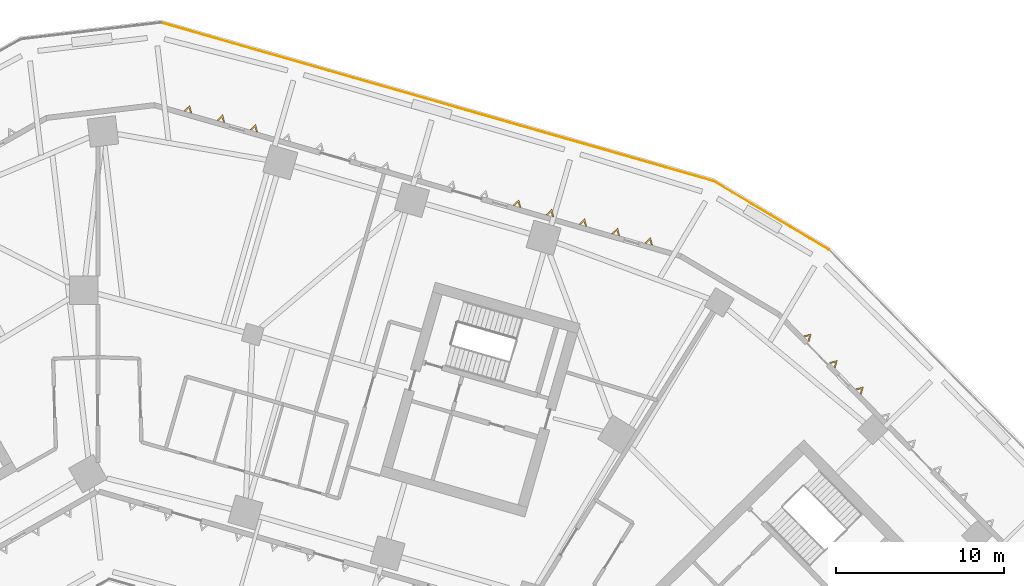
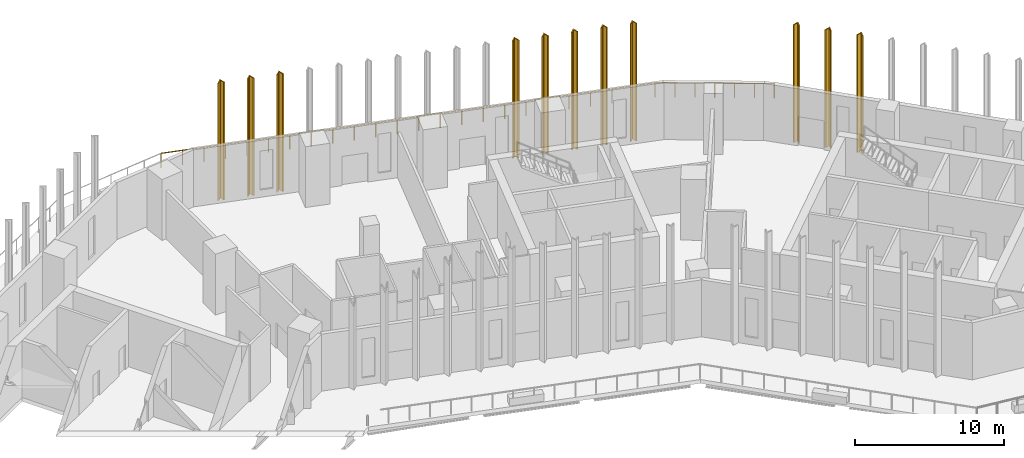
# One storey, part 16 of 17: 11 shading devices, 2 railings.
"""IFC4 building model written with IfcOpenShell, lengths in metres."""

from ifc_helpers import new_model, si_unit, direction, frame, origin, origin_2d, place, context, subcontext, project, spatial, polyline, circle, outline, extrude, material, type_object, element, save


model = new_model("IFC4")

# Units and contexts
model_context = context("Model", 3, precision=1e-05, world=origin(), true_north=direction((0.0, 1.0)))
body_context = subcontext(model_context, "Body", "Model", "MODEL_VIEW")
ifc_project = project(units=[si_unit("LENGTHUNIT", "METRE"), si_unit("AREAUNIT", "SQUARE_METRE"), si_unit("VOLUMEUNIT", "CUBIC_METRE"), si_unit("PLANEANGLEUNIT", "RADIAN"), si_unit("MASSUNIT", "GRAM", prefix="KILO")], contexts=[model_context])

# Site, building, storey
site_placement = place(None, origin())
site = spatial("IfcSite", under=ifc_project, at=site_placement, CompositionType="ELEMENT")
building_placement = place(site_placement, origin())
building = spatial("IfcBuilding", under=site, at=building_placement, Name="Binnacle Exchange Tower", CompositionType="ELEMENT")
storey_placement = place(building_placement, frame((0.0, 0.0, 26.5)))
storey = spatial("IfcBuildingStorey", under=building, at=storey_placement, Name="L05", CompositionType="ELEMENT", Elevation=26.5)

# Railings
ifc_material_1 = material(Name="Bronze anodised aluminium frame", Category="aluminium")
railing_type = type_object("IfcRailingType", Name="GUARD 1200", PredefinedType="GUARDRAIL", material=ifc_material_1)
railing_1_placement = place(storey_placement, frame((43.626708984375, 62.41015625, 0.0)))
element("IfcRailing", 1, at=railing_1_placement, inside=storey, type_object=railing_type, Name="Terrace guard 1 Terrace P", PredefinedType="GUARDRAIL", context=body_context, shape_type="SweptSolid", body=[
    extrude(circle(Radius=0.02392578125, at=origin_2d()), frame((0.0, 0.0, 1.17578125), z_axis=(-0.859411610489, 0.511284347264, 0.0), x_axis=(-0.511284347264, -0.859411610489, 0.0)), (0.0, 0.0, 1.0), 8.02490234375),
    extrude(circle(Radius=0.02099609375, at=origin_2d()), origin(), (0.0, 0.0, 1.0), 1.15185546875),
    extrude(circle(Radius=0.02099609375, at=origin_2d()), frame((-1.1494140625, 0.683837890625, 0.0)), (0.0, 0.0, 1.0), 1.15185546875),
    extrude(circle(Radius=0.02099609375, at=origin_2d()), frame((-2.298828125, 1.36767578125, 0.0)), (0.0, 0.0, 1.0), 1.15185546875),
    extrude(circle(Radius=0.02099609375, at=origin_2d()), frame((-3.4482421875, 2.051513671875, 0.0)), (0.0, 0.0, 1.0), 1.15185546875),
    extrude(circle(Radius=0.02099609375, at=origin_2d()), frame((-4.597900390625, 2.7353515625, 0.0)), (0.0, 0.0, 1.0), 1.15185546875),
    extrude(circle(Radius=0.02099609375, at=origin_2d()), frame((-5.747314453125, 3.419189453125, 0.0)), (0.0, 0.0, 1.0), 1.15185546875),
    extrude(circle(Radius=0.02099609375, at=origin_2d()), frame((-6.896728515625, 4.10302734375, 0.0)), (0.0, 0.0, 1.0), 1.15185546875),
])
railing_2_placement = place(storey_placement, frame((36.72998046875, 66.51318359375, 0.0)))
element("IfcRailing", 2, at=railing_2_placement, inside=storey, type_object=railing_type, Name="Terrace guard 2 Terrace P", PredefinedType="GUARDRAIL", context=body_context, shape_type="SweptSolid", body=[
    extrude(circle(Radius=0.02392578125, at=origin_2d()), frame((0.0, 0.0, 1.17578125), z_axis=(-0.961260783361, 0.275640538334, 0.0), x_axis=(-0.275640538334, -0.961260783361, 0.0)), (0.0, 0.0, 1.0), 34.295166015625),
    extrude(circle(Radius=0.02099609375, at=origin_2d()), origin(), (0.0, 0.0, 1.0), 1.15185546875),
    extrude(circle(Radius=0.02099609375, at=origin_2d()), frame((-1.433349609375, 0.410888671875, 0.0)), (0.0, 0.0, 1.0), 1.15185546875),
    extrude(circle(Radius=0.02099609375, at=origin_2d()), frame((-2.86669921875, 0.822021484375, 0.0)), (0.0, 0.0, 1.0), 1.15185546875),
    extrude(circle(Radius=0.02099609375, at=origin_2d()), frame((-4.300048828125, 1.23291015625, 0.0)), (0.0, 0.0, 1.0), 1.15185546875),
    extrude(circle(Radius=0.02099609375, at=origin_2d()), frame((-5.7333984375, 1.64404296875, 0.0)), (0.0, 0.0, 1.0), 1.15185546875),
    extrude(circle(Radius=0.02099609375, at=origin_2d()), frame((-7.166748046875, 2.054931640625, 0.0)), (0.0, 0.0, 1.0), 1.15185546875),
    extrude(circle(Radius=0.02099609375, at=origin_2d()), frame((-8.599853515625, 2.466064453125, 0.0)), (0.0, 0.0, 1.0), 1.15185546875),
    extrude(circle(Radius=0.02099609375, at=origin_2d()), frame((-10.033203125, 2.876953125, 0.0)), (0.0, 0.0, 1.0), 1.15185546875),
    extrude(circle(Radius=0.02099609375, at=origin_2d()), frame((-11.466552734375, 3.2880859375, 0.0)), (0.0, 0.0, 1.0), 1.15185546875),
    extrude(circle(Radius=0.02099609375, at=origin_2d()), frame((-12.89990234375, 3.698974609375, 0.0)), (0.0, 0.0, 1.0), 1.15185546875),
    extrude(circle(Radius=0.02099609375, at=origin_2d()), frame((-14.333251953125, 4.110107421875, 0.0)), (0.0, 0.0, 1.0), 1.15185546875),
    extrude(circle(Radius=0.02099609375, at=origin_2d()), frame((-15.7666015625, 4.52099609375, 0.0)), (0.0, 0.0, 1.0), 1.15185546875),
    extrude(circle(Radius=0.02099609375, at=origin_2d()), frame((-17.199951171875, 4.93212890625, 0.0)), (0.0, 0.0, 1.0), 1.15185546875),
    extrude(circle(Radius=0.02099609375, at=origin_2d()), frame((-18.63330078125, 5.343017578125, 0.0)), (0.0, 0.0, 1.0), 1.15185546875),
    extrude(circle(Radius=0.02099609375, at=origin_2d()), frame((-20.066650390625, 5.754150390625, 0.0)), (0.0, 0.0, 1.0), 1.15185546875),
    extrude(circle(Radius=0.02099609375, at=origin_2d()), frame((-21.5, 6.1650390625, 0.0)), (0.0, 0.0, 1.0), 1.15185546875),
    extrude(circle(Radius=0.02099609375, at=origin_2d()), frame((-22.933349609375, 6.576171875, 0.0)), (0.0, 0.0, 1.0), 1.15185546875),
    extrude(circle(Radius=0.02099609375, at=origin_2d()), frame((-24.36669921875, 6.987060546875, 0.0)), (0.0, 0.0, 1.0), 1.15185546875),
    extrude(circle(Radius=0.02099609375, at=origin_2d()), frame((-25.7998046875, 7.398193359375, 0.0)), (0.0, 0.0, 1.0), 1.15185546875),
    extrude(circle(Radius=0.02099609375, at=origin_2d()), frame((-27.233154296875, 7.80908203125, 0.0)), (0.0, 0.0, 1.0), 1.15185546875),
    extrude(circle(Radius=0.02099609375, at=origin_2d()), frame((-28.66650390625, 8.22021484375, 0.0)), (0.0, 0.0, 1.0), 1.15185546875),
    extrude(circle(Radius=0.02099609375, at=origin_2d()), frame((-30.099853515625, 8.631103515625, 0.0)), (0.0, 0.0, 1.0), 1.15185546875),
    extrude(circle(Radius=0.02099609375, at=origin_2d()), frame((-31.533203125, 9.042236328125, 0.0)), (0.0, 0.0, 1.0), 1.15185546875),
    extrude(circle(Radius=0.02099609375, at=origin_2d()), frame((-32.966552734375, 9.453125, 0.0)), (0.0, 0.0, 1.0), 1.15185546875),
])

# Shading devices
ifc_material_2 = material(Name="Bronze aluminium cladding", Category="aluminium")
shading_device_type = type_object("IfcShadingDeviceType", Name="V FIN 433 DEEP x 9680 HIGH", PredefinedType="USERDEFINED", material=ifc_material_2)
shading_device_1_placement = place(storey_placement, origin())
element("IfcShadingDevice", 3, at=shading_device_1_placement, inside=storey, type_object=shading_device_type, Name="V fin FN-F01-01 L05", ObjectType="FIN", PredefinedType="USERDEFINED", context=body_context, shape_type="SweptSolid", body=[
    extrude(outline(polyline([(33.107421875, 62.66259765625), (32.986572265625, 63.147705078125), (32.626708984375, 62.800537109375), (32.715576171875, 62.77490234375), (32.9423828125, 62.993896484375), (33.0185546875, 62.688232421875), (33.107421875, 62.66259765625)])), origin(), (0.0, 0.0, 1.0), 9.679931640625),
])
shading_device_2_placement = place(storey_placement, origin())
element("IfcShadingDevice", 4, at=shading_device_2_placement, inside=storey, type_object=shading_device_type, Name="V fin FN-F01-02 L05", ObjectType="FIN", PredefinedType="USERDEFINED", context=body_context, shape_type="SweptSolid", body=[
    extrude(outline(polyline([(31.143310546875, 63.225830078125), (31.022216796875, 63.7109375), (30.66259765625, 63.36376953125), (30.75146484375, 63.338134765625), (30.97802734375, 63.55712890625), (31.054443359375, 63.25146484375), (31.143310546875, 63.225830078125)])), origin(), (0.0, 0.0, 1.0), 9.679931640625),
])
shading_device_3_placement = place(storey_placement, origin())
element("IfcShadingDevice", 5, at=shading_device_3_placement, inside=storey, type_object=shading_device_type, Name="V fin FN-F01-03 L05", ObjectType="FIN", PredefinedType="USERDEFINED", context=body_context, shape_type="SweptSolid", body=[
    extrude(outline(polyline([(29.17919921875, 63.7890625), (29.058349609375, 64.274169921875), (28.698486328125, 63.927001953125), (28.787353515625, 63.9013671875), (29.01416015625, 64.120361328125), (29.09033203125, 63.814697265625), (29.17919921875, 63.7890625)])), origin(), (0.0, 0.0, 1.0), 9.679931640625),
])
shading_device_4_placement = place(storey_placement, origin())
element("IfcShadingDevice", 6, at=shading_device_4_placement, inside=storey, type_object=shading_device_type, Name="V fin FN-F01-04 L05", ObjectType="FIN", PredefinedType="USERDEFINED", context=body_context, shape_type="SweptSolid", body=[
    extrude(outline(polyline([(27.215087890625, 64.352294921875), (27.09423828125, 64.83740234375), (26.734619140625, 64.489990234375), (26.8232421875, 64.464599609375), (27.050048828125, 64.68359375), (27.126220703125, 64.377685546875), (27.215087890625, 64.352294921875)])), origin(), (0.0, 0.0, 1.0), 9.679931640625),
])
shading_device_5_placement = place(storey_placement, origin())
element("IfcShadingDevice", 7, at=shading_device_5_placement, inside=storey, type_object=shading_device_type, Name="V fin FN-F01-05 L05", ObjectType="FIN", PredefinedType="USERDEFINED", context=body_context, shape_type="SweptSolid", body=[
    extrude(outline(polyline([(25.2509765625, 64.91552734375), (25.130126953125, 65.400634765625), (24.7705078125, 65.05322265625), (24.859130859375, 65.02783203125), (25.0859375, 65.246826171875), (25.162109375, 64.94091796875), (25.2509765625, 64.91552734375)])), origin(), (0.0, 0.0, 1.0), 9.679931640625),
])
shading_device_6_placement = place(storey_placement, origin())
element("IfcShadingDevice", 8, at=shading_device_6_placement, inside=storey, type_object=shading_device_type, Name="V fin FN-F01-13 L05", ObjectType="FIN", PredefinedType="USERDEFINED", context=body_context, shape_type="SweptSolid", body=[
    extrude(outline(polyline([(9.538330078125, 69.4208984375), (9.41748046875, 69.906005859375), (9.0576171875, 69.558837890625), (9.146484375, 69.533203125), (9.373291015625, 69.752197265625), (9.449462890625, 69.446533203125), (9.538330078125, 69.4208984375)])), origin(), (0.0, 0.0, 1.0), 9.679931640625),
])
shading_device_7_placement = place(storey_placement, origin())
element("IfcShadingDevice", 9, at=shading_device_7_placement, inside=storey, type_object=shading_device_type, Name="V fin FN-F01-14 L05", ObjectType="FIN", PredefinedType="USERDEFINED", context=body_context, shape_type="SweptSolid", body=[
    extrude(outline(polyline([(7.57421875, 69.984130859375), (7.453369140625, 70.46923828125), (7.09375, 70.1220703125), (7.1826171875, 70.096435546875), (7.4091796875, 70.3154296875), (7.485595703125, 70.009765625), (7.57421875, 69.984130859375)])), origin(), (0.0, 0.0, 1.0), 9.679931640625),
])
shading_device_8_placement = place(storey_placement, origin())
element("IfcShadingDevice", 10, at=shading_device_8_placement, inside=storey, type_object=shading_device_type, Name="V fin FN-F01-15 L05", ObjectType="FIN", PredefinedType="USERDEFINED", context=body_context, shape_type="SweptSolid", body=[
    extrude(outline(polyline([(5.610107421875, 70.54736328125), (5.4892578125, 71.032470703125), (5.12939453125, 70.685302734375), (5.21826171875, 70.65966796875), (5.445068359375, 70.878662109375), (5.521240234375, 70.572998046875), (5.610107421875, 70.54736328125)])), origin(), (0.0, 0.0, 1.0), 9.679931640625),
])
shading_device_9_placement = place(storey_placement, origin())
element("IfcShadingDevice", 11, at=shading_device_9_placement, inside=storey, type_object=shading_device_type, Name="V fin FN-F13-09 L05", ObjectType="FIN", PredefinedType="USERDEFINED", context=body_context, shape_type="SweptSolid", body=[
    extrude(outline(polyline([(45.553466796875, 53.743896484375), (45.68701171875, 54.2255859375), (45.203125, 54.1005859375), (45.267822265625, 54.03466796875), (45.572998046875, 54.113525390625), (45.48876953125, 53.809814453125), (45.553466796875, 53.743896484375)])), origin(), (0.0, 0.0, 1.0), 9.679931640625),
])
shading_device_10_placement = place(storey_placement, origin())
element("IfcShadingDevice", 12, at=shading_device_10_placement, inside=storey, type_object=shading_device_type, Name="V fin FN-F13-10 L05", ObjectType="FIN", PredefinedType="USERDEFINED", context=body_context, shape_type="SweptSolid", body=[
    extrude(outline(polyline([(43.998779296875, 55.325927734375), (44.132568359375, 55.8076171875), (43.6484375, 55.6826171875), (43.713134765625, 55.61669921875), (44.018310546875, 55.695556640625), (43.93408203125, 55.391845703125), (43.998779296875, 55.325927734375)])), origin(), (0.0, 0.0, 1.0), 9.679931640625),
])
shading_device_11_placement = place(storey_placement, origin())
element("IfcShadingDevice", 13, at=shading_device_11_placement, inside=storey, type_object=shading_device_type, Name="V fin FN-F13-11 L05", ObjectType="FIN", PredefinedType="USERDEFINED", context=body_context, shape_type="SweptSolid", body=[
    extrude(outline(polyline([(42.444091796875, 56.907958984375), (42.577880859375, 57.3896484375), (42.09375, 57.264404296875), (42.158447265625, 57.198486328125), (42.463623046875, 57.277587890625), (42.37939453125, 56.973876953125), (42.444091796875, 56.907958984375)])), origin(), (0.0, 0.0, 1.0), 9.679931640625),
])

save(model, "model.ifc")
